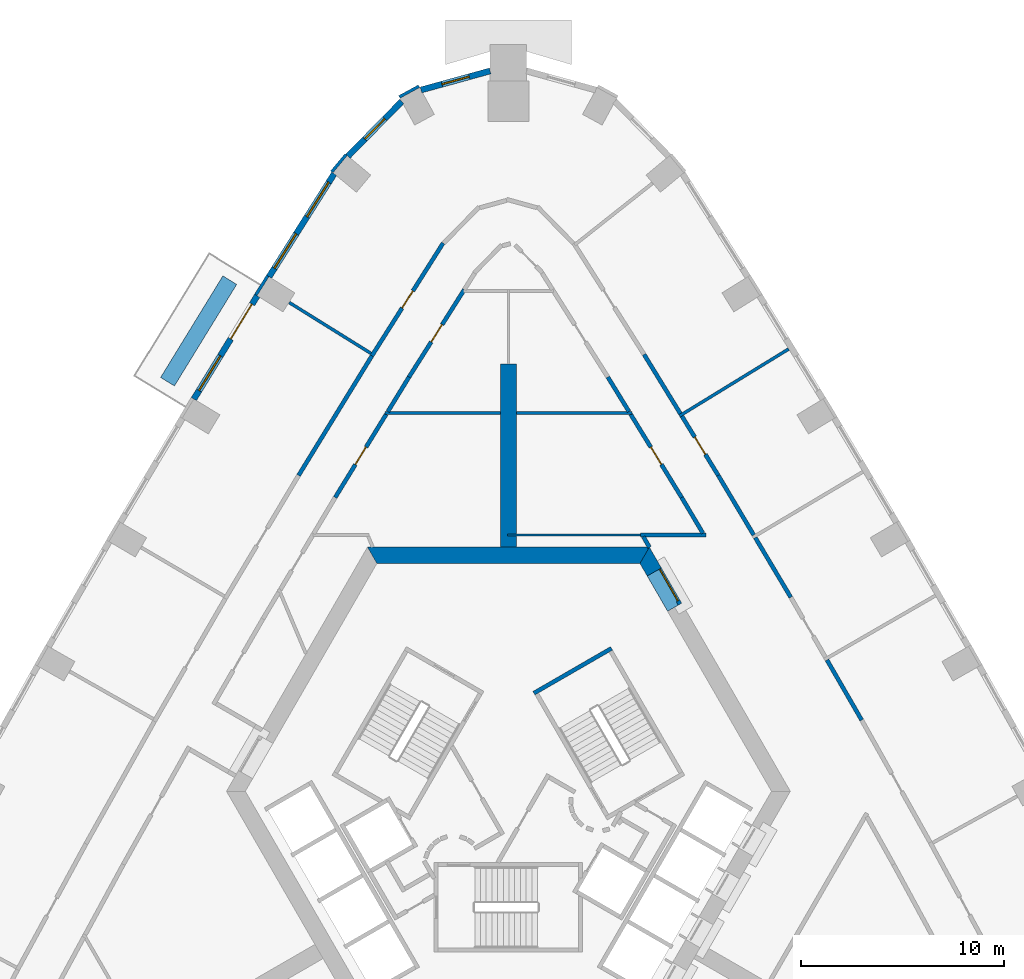
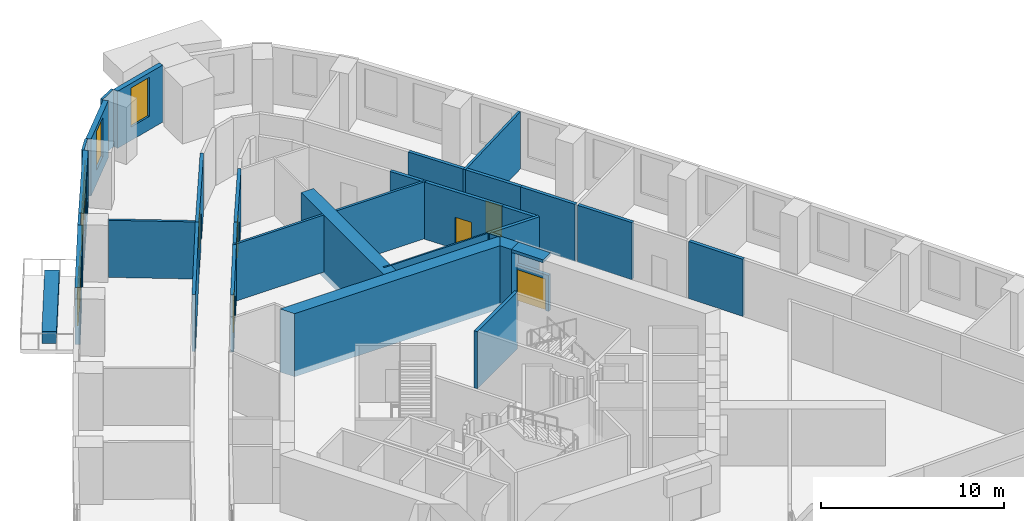
# One storey, part 9 of 14: 34 walls, 7 doors, 5 windows, 12 openings.
"""IFC4 building model written with IfcOpenShell, lengths in metres."""

from ifc_helpers import new_model, si_unit, direction, frame, frame_2d, origin, place, context, subcontext, project, spatial, polyline, rectangle, outline, extrude, material, layer, layer_set, type_object, element, fill, save


model = new_model("IFC4")

# Units and contexts
model_context = context("Model", 3, precision=1e-05, world=origin(), true_north=direction((0.0, 1.0)))
body_context = subcontext(model_context, "Body", "Model", "MODEL_VIEW")
ifc_project = project(units=[si_unit("LENGTHUNIT", "METRE"), si_unit("AREAUNIT", "SQUARE_METRE"), si_unit("VOLUMEUNIT", "CUBIC_METRE"), si_unit("PLANEANGLEUNIT", "RADIAN"), si_unit("MASSUNIT", "GRAM", prefix="KILO")], contexts=[model_context])

# Site, building, storey
site_placement = place(None, origin())
site = spatial("IfcSite", under=ifc_project, at=site_placement, CompositionType="ELEMENT")
building_placement = place(site_placement, origin())
building = spatial("IfcBuilding", under=site, at=building_placement, Name="Entoto Arch Interchange Tower", CompositionType="ELEMENT")
storey_placement = place(building_placement, frame((0.0, 0.0, 159.199951171875)))
storey = spatial("IfcBuildingStorey", under=building, at=storey_placement, Name="L35", CompositionType="ELEMENT", Elevation=159.199951171875)

# Wall
ifc_material_1 = material(Name="Concrete C50/60", Category="concrete")
ifc_layer_1 = layer(ifc_material_1, 0.800048828125)
ifc_layer_set_1 = layer_set([ifc_layer_1], Name="Concrete C50/60")
wall_type_1 = type_object("IfcWallType", Name="Buttress wall 800 C50/60", PredefinedType="SHEAR", material=ifc_layer_set_1)
wall_1_placement = place(storey_placement, frame((0.0, 14.5, -0.39990234375), z_axis=(0.0, 0.0, 1.0), x_axis=(0.0, 1.0, 0.0)))
element("IfcWall", 1, at=wall_1_placement, inside=storey, type_object=wall_type_1, Name="Buttress wall N L35", PredefinedType="SHEAR", context=body_context, shape_type="SweptSolid", body=[
    extrude(rectangle(XDim=9.0, YDim=0.800048828125, at=frame_2d((4.5, 0.0))), origin(), (0.0, 0.0, 1.0), 4.199951171875),
])

# Wall, opening, door
ifc_material_2 = material(Name="Reinforced concrete C40/50", Category="concrete")
ifc_layer_2 = layer(ifc_material_2, 0.199951171875)
ifc_layer_set_2 = layer_set([ifc_layer_2], Name="Reinforced concrete C40/50")
wall_type_2 = type_object("IfcWallType", Name="CORE GAP INFILL WALL", PredefinedType="PARTITIONING", material=ifc_layer_set_2)
wall_2_placement = place(storey_placement, frame((8.429931640625, 11.697998046875, 0.0), z_axis=(0.0, 0.0, 1.0), x_axis=(-0.50002537861, 0.866010750942, 0.0)))
wall_2 = element("IfcWall", 2, at=wall_2_placement, inside=storey, type_object=wall_type_2, Name="wall:L35:gap2", PredefinedType="PARTITIONING", context=body_context, shape_type="SweptSolid", body=[
    extrude(rectangle(XDim=2.0, YDim=0.199951171875, at=frame_2d((1.0, 0.0))), origin(), (0.0, 0.0, 1.0), 2.400146484375),
])
opening_1_placement = place(wall_2_placement, frame((0.18994140625, 0.0, 0.0)))
opening_1 = element("IfcOpeningElement", 3, at=opening_1_placement, cuts=wall_2, Name="Opening L35-D92", PredefinedType="OPENING", context=body_context, shape_type="SweptSolid", body=[
    extrude(rectangle(XDim=1.800048828125, YDim=2.10009765625, at=frame_2d((0.89990234375, 1.050048828125))), frame((0.0, 0.10986328125, 0.0), z_axis=(0.0, -1.0, 0.0), x_axis=(1.0, 0.0, 0.0)), (0.0, 0.0, 1.0), 0.219970703125),
])
ifc_material_3 = material(Name="Fire-rated Steel S235 door and frame", Category="steel")
door_type_1 = type_object("IfcDoorType", Name="DOOR FD-18 1800x2100", OperationType="DOUBLE_DOOR_SINGLE_SWING", PredefinedType="DOOR", material=ifc_material_3)
door_1_placement = place(opening_1_placement, origin())
door_1 = element("IfcDoor", 4, at=door_1_placement, inside=storey, type_object=door_type_1, Name="door:L35:gap2", OperationType="DOUBLE_DOOR_SINGLE_SWING", OverallHeight=2.10009765625, OverallWidth=1.800048828125, PredefinedType="DOOR", context=body_context, shape_type="SweptSolid", body=[
    extrude(rectangle(XDim=1.800048828125, YDim=2.10009765625, at=frame_2d((0.89990234375, 1.050048828125))), frame((0.0, 0.02490234375, 0.0), z_axis=(0.0, -1.0, 0.0), x_axis=(1.0, 0.0, 0.0)), (0.0, 0.0, 1.0), 0.050048828125),
])
fill(opening_1, door_1)

# Walls
ifc_layer_3 = layer(ifc_material_1, 0.800048828125)
ifc_layer_set_3 = layer_set([ifc_layer_3], Name="Concrete C50/60")
wall_type_3 = type_object("IfcWallType", Name="Core wall 800 C50/60", PredefinedType="SHEAR", material=ifc_layer_set_3)
wall_3_placement = place(storey_placement, frame((0.0, 0.0, -0.39990234375)))
element("IfcWall", 5, at=wall_3_placement, inside=storey, type_object=wall_type_3, Name="Core wall NE L35", PredefinedType="SHEAR", context=body_context, shape_type="SweptSolid", body=[
    extrude(outline(polyline([(6.823974609375, 13.080078125), (7.51708984375, 13.47998046875), (6.927978515625, 14.5), (6.466064453125, 13.699951171875), (6.823974609375, 13.080078125)])), origin(), (0.0, 0.0, 1.0), 4.199951171875),
])
wall_4_placement = place(storey_placement, frame((0.0, 0.0, 3.60009765625)))
element("IfcWall", 6, at=wall_4_placement, inside=storey, type_object=wall_type_3, Name="Core wall lintel NE L35", PredefinedType="SHEAR", context=body_context, shape_type="SweptSolid", body=[
    extrude(outline(polyline([(7.51708984375, 13.47998046875), (6.823974609375, 13.080078125), (7.823974609375, 11.347900390625), (8.51708984375, 11.748046875), (7.51708984375, 13.47998046875)])), origin(), (0.0, 0.0, 1.0), 0.199951171875),
])
wall_5_placement = place(storey_placement, frame((0.0, 0.0, -0.39990234375)))
element("IfcWall", 7, at=wall_5_placement, inside=storey, type_object=wall_type_3, Name="Core wall N L35", PredefinedType="SHEAR", context=body_context, shape_type="SweptSolid", body=[
    extrude(outline(polyline([(6.927978515625, 14.5), (-6.927978515625, 14.5), (-6.466064453125, 13.699951171875), (6.466064453125, 13.699951171875), (6.927978515625, 14.5)])), origin(), (0.0, 0.0, 1.0), 4.199951171875),
])
ifc_material_4 = material(Name="Gypsum board partition on steel studs", Category="steel")
ifc_layer_4 = layer(ifc_material_4, 0.10009765625)
ifc_layer_set_4 = layer_set([ifc_layer_4], Name="Gypsum board partition on steel studs")
wall_type_4 = type_object("IfcWallType", Name="PARTITION 100", PredefinedType="PARTITIONING", material=ifc_layer_set_4)
wall_6_placement = place(storey_placement, frame((6.48388671875, 15.10009765625, 0.0), z_axis=(0.0, 0.0, 1.0), x_axis=(-1.0, 0.0, 0.0)))
element("IfcWall", 8, at=wall_6_placement, inside=storey, type_object=wall_type_4, Name="wall:L35:p112", PredefinedType="PARTITIONING", context=body_context, shape_type="SweptSolid", body=[
    extrude(rectangle(XDim=6.533935546875, YDim=0.10009765625, at=frame_2d((3.26708984375, 0.0))), origin(), (0.0, 0.0, 1.0), 3.800048828125),
])
ifc_layer_5 = layer(ifc_material_4, 0.14990234375)
ifc_layer_set_5 = layer_set([ifc_layer_5], Name="Gypsum board partition on steel studs")
wall_type_5 = type_object("IfcWallType", Name="PARTITION 150", PredefinedType="PARTITIONING", material=ifc_layer_set_5)
for number, where, z_axis, x_axis, name in (
    (9, (0.39990234375, 21.10009765625, 0.0), (0.0, 0.0, 1.0), (1.0, 0.0, 0.0), "wall:L35:p113"),
    (10, (-6.06591796875, 21.10009765625, 0.0), (0.0, 0.0, 1.0), (1.0, 0.0, 0.0), "wall:L35:p114"),
):
    element("IfcWall", number, at=place(storey_placement, frame(where, z_axis=z_axis, x_axis=x_axis)), inside=storey, type_object=wall_type_5, Name=name, PredefinedType="PARTITIONING", context=body_context, shape_type="SweptSolid", body=[
        extrude(rectangle(XDim=5.666015625, YDim=0.14990234375, at=frame_2d((2.8330078125, 0.0))), origin(), (0.0, 0.0, 1.0), 3.800048828125),
    ])
wall_7_placement = place(storey_placement, frame((8.406005859375, 20.947021484375, 0.0), z_axis=(0.0, 0.0, 1.0), x_axis=(0.852529956042, 0.522678365777, 0.0)))
element("IfcWall", 11, at=wall_7_placement, inside=storey, type_object=wall_type_5, Name="wall:L35:p130", PredefinedType="PARTITIONING", context=body_context, shape_type="SweptSolid", body=[
    extrude(rectangle(XDim=6.30029296875, YDim=0.14990234375, at=frame_2d((3.150146484375, 0.0))), origin(), (0.0, 0.0, 1.0), 3.800048828125),
])
wall_8_placement = place(storey_placement, frame((-6.7548828125, 24.02294921875, 0.0), z_axis=(0.0, 0.0, 1.0), x_axis=(-0.848896034983, 0.528559856392, 0.0)))
element("IfcWall", 12, at=wall_8_placement, inside=storey, type_object=wall_type_5, Name="wall:L35:p132", PredefinedType="PARTITIONING", context=body_context, shape_type="SweptSolid", body=[
    extrude(rectangle(XDim=4.729736328125, YDim=0.14990234375, at=frame_2d((2.36474609375, 0.0))), origin(), (0.0, 0.0, 1.0), 3.800048828125),
])
ifc_layer_6 = layer(ifc_material_4, 0.199951171875)
ifc_layer_set_6 = layer_set([ifc_layer_6], Name="Gypsum board partition on steel studs")
wall_type_6 = type_object("IfcWallType", Name="PARTITION 200", PredefinedType="PARTITIONING", material=ifc_layer_set_6)
wall_9_placement = place(storey_placement, frame((6.48388671875, 15.10009765625, 0.0), z_axis=(0.0, 0.0, 1.0), x_axis=(1.0, 0.0, 0.0)))
element("IfcWall", 13, at=wall_9_placement, inside=storey, type_object=wall_type_6, Name="wall:L35:p005", PredefinedType="PARTITIONING", context=body_context, shape_type="SweptSolid", body=[
    extrude(rectangle(XDim=3.22802734375, YDim=0.199951171875, at=frame_2d((1.614013671875, 0.0))), origin(), (0.0, 0.0, 1.0), 3.800048828125),
])
wall_10_placement = place(storey_placement, frame((9.56103515625, 15.18603515625, 0.0), z_axis=(0.0, 0.0, 1.0), x_axis=(-0.511399832047, 0.859342895346, 0.0)))
element("IfcWall", 14, at=wall_10_placement, inside=storey, type_object=wall_type_6, Name="wall:L35:p006", PredefinedType="PARTITIONING", context=body_context, shape_type="SweptSolid", body=[
    extrude(rectangle(XDim=2.043212890625, YDim=0.199951171875, at=frame_2d((1.021484375, 0.0))), origin(), (0.0, 0.0, 1.0), 3.800048828125),
])

# Wall, opening, door
wall_11_placement = place(storey_placement, frame((8.51611328125, 16.94189453125, 0.0), z_axis=(0.0, 0.0, 1.0), x_axis=(-0.522865983217, 0.852414901086, 0.0)))
wall_11 = element("IfcWall", 15, at=wall_11_placement, inside=storey, type_object=wall_type_6, Name="wall:L35:p007", PredefinedType="PARTITIONING", context=body_context, shape_type="SweptSolid", body=[
    extrude(rectangle(XDim=4.802734375, YDim=0.199951171875, at=frame_2d((2.4013671875, 0.0))), origin(), (0.0, 0.0, 1.0), 3.800048828125),
])
opening_2_placement = place(wall_11_placement, frame((1.90087890625, 0.0, 0.0)))
opening_2 = element("IfcOpeningElement", 16, at=opening_2_placement, cuts=wall_11, Name="Opening L35-D19", PredefinedType="OPENING", context=body_context, shape_type="SweptSolid", body=[
    extrude(rectangle(XDim=1.0, YDim=2.10009765625, at=frame_2d((0.5, 1.050048828125))), frame((0.0, 0.10986328125, 0.0), z_axis=(0.0, -1.0, 0.0), x_axis=(1.0, 0.0, 0.0)), (0.0, 0.0, 1.0), 0.219970703125),
])
ifc_material_5 = material(Name="Timber door leaf in Steel S235 frame", Category="steel")
door_type_2 = type_object("IfcDoorType", Name="DOOR DS-10 1000x2100", OperationType="SINGLE_SWING_LEFT", PredefinedType="DOOR", material=ifc_material_5)
door_2_placement = place(opening_2_placement, origin())
door_2 = element("IfcDoor", 17, at=door_2_placement, inside=storey, type_object=door_type_2, Name="door:L35:19", OperationType="SINGLE_SWING_LEFT", OverallHeight=2.10009765625, OverallWidth=1.0, PredefinedType="DOOR", context=body_context, shape_type="SweptSolid", body=[
    extrude(rectangle(XDim=1.0, YDim=2.10009765625, at=frame_2d((0.5, 1.050048828125))), frame((0.0, 0.02490234375, 0.0), z_axis=(0.0, -1.0, 0.0), x_axis=(1.0, 0.0, 0.0)), (0.0, 0.0, 1.0), 0.050048828125),
])
fill(opening_2, door_2)

# Wall
wall_12_placement = place(storey_placement, frame((6.93701171875, 14.488037109375, 0.0), z_axis=(0.0, 0.0, 1.0), x_axis=(-0.499908430952, 0.866078264744, 0.0)))
element("IfcWall", 18, at=wall_12_placement, inside=storey, type_object=wall_type_6, Name="wall:L35:p008", PredefinedType="PARTITIONING", context=body_context, shape_type="SweptSolid", body=[
    extrude(rectangle(XDim=0.60595703125, YDim=0.199951171875, at=frame_2d((0.302978515625, 0.0))), origin(), (0.0, 0.0, 1.0), 3.800048828125),
])

# Wall, opening, door
wall_13_placement = place(storey_placement, frame((-6.0048828125, 21.035888671875, 0.0), z_axis=(0.0, 0.0, 1.0), x_axis=(-0.522865983217, -0.852414901086, 0.0)))
wall_13 = element("IfcWall", 19, at=wall_13_placement, inside=storey, type_object=wall_type_6, Name="wall:L35:p009", PredefinedType="PARTITIONING", context=body_context, shape_type="SweptSolid", body=[
    extrude(rectangle(XDim=4.802734375, YDim=0.199951171875, at=frame_2d((2.4013671875, 0.0))), origin(), (0.0, 0.0, 1.0), 3.800048828125),
])
opening_3_placement = place(wall_13_placement, frame((1.90087890625, 0.0, 0.0)))
opening_3 = element("IfcOpeningElement", 20, at=opening_3_placement, cuts=wall_13, Name="Opening L35-D20", PredefinedType="OPENING", context=body_context, shape_type="SweptSolid", body=[
    extrude(rectangle(XDim=1.0, YDim=2.10009765625, at=frame_2d((0.5, 1.050048828125))), frame((0.0, 0.10986328125, 0.0), z_axis=(0.0, -1.0, 0.0), x_axis=(1.0, 0.0, 0.0)), (0.0, 0.0, 1.0), 0.219970703125),
])
door_3_placement = place(opening_3_placement, origin())
door_3 = element("IfcDoor", 21, at=door_3_placement, inside=storey, type_object=door_type_2, Name="door:L35:20", OperationType="SINGLE_SWING_LEFT", OverallHeight=2.10009765625, OverallWidth=1.0, PredefinedType="DOOR", context=body_context, shape_type="SweptSolid", body=[
    extrude(rectangle(XDim=1.0, YDim=2.10009765625, at=frame_2d((0.5, 1.050048828125))), frame((0.0, 0.02490234375, 0.0), z_axis=(0.0, -1.0, 0.0), x_axis=(1.0, 0.0, 0.0)), (0.0, 0.0, 1.0), 0.050048828125),
])
fill(opening_3, door_3)

# Wall
wall_14_placement = place(storey_placement, frame((5.927001953125, 21.1640625, 0.0), z_axis=(0.0, 0.0, 1.0), x_axis=(-0.522754838565, 0.852483066552, 0.0)))
element("IfcWall", 22, at=wall_14_placement, inside=storey, type_object=wall_type_6, Name="wall:L35:p011", PredefinedType="PARTITIONING", context=body_context, shape_type="SweptSolid", body=[
    extrude(rectangle(XDim=1.989501953125, YDim=0.199951171875, at=frame_2d((0.99462890625, 0.0))), origin(), (0.0, 0.0, 1.0), 3.800048828125),
])

# Wall, opening, door
wall_15_placement = place(storey_placement, frame((-2.1669921875, 27.1630859375, 0.0), z_axis=(0.0, 0.0, 1.0), x_axis=(-0.534315942524, -0.845284847589, 0.0)))
wall_15 = element("IfcWall", 23, at=wall_15_placement, inside=storey, type_object=wall_type_6, Name="wall:L35:p013", PredefinedType="PARTITIONING", context=body_context, shape_type="SweptSolid", body=[
    extrude(rectangle(XDim=5.090576171875, YDim=0.199951171875, at=frame_2d((2.54541015625, 0.0))), origin(), (0.0, 0.0, 1.0), 3.800048828125),
])
opening_4_placement = place(wall_15_placement, frame((2.044921875, 0.0, 0.0)))
opening_4 = element("IfcOpeningElement", 24, at=opening_4_placement, cuts=wall_15, Name="Opening L35-D22", PredefinedType="OPENING", context=body_context, shape_type="SweptSolid", body=[
    extrude(rectangle(XDim=1.0, YDim=2.10009765625, at=frame_2d((0.5, 1.050048828125))), frame((0.0, 0.10986328125, 0.0), z_axis=(0.0, -1.0, 0.0), x_axis=(1.0, 0.0, 0.0)), (0.0, 0.0, 1.0), 0.219970703125),
])
door_4_placement = place(opening_4_placement, origin())
door_4 = element("IfcDoor", 25, at=door_4_placement, inside=storey, type_object=door_type_2, Name="door:L35:22", OperationType="SINGLE_SWING_LEFT", OverallHeight=2.10009765625, OverallWidth=1.0, PredefinedType="DOOR", context=body_context, shape_type="SweptSolid", body=[
    extrude(rectangle(XDim=1.0, YDim=2.10009765625, at=frame_2d((0.5, 1.050048828125))), frame((0.0, 0.02490234375, 0.0), z_axis=(0.0, -1.0, 0.0), x_axis=(1.0, 0.0, 0.0)), (0.0, 0.0, 1.0), 0.050048828125),
])
fill(opening_4, door_4)

# Walls
wall_16_placement = place(storey_placement, frame((-4.886962890625, 22.860107421875, 0.0), z_axis=(0.0, 0.0, 1.0), x_axis=(-0.522754838565, -0.852483066552, 0.0)))
element("IfcWall", 26, at=wall_16_placement, inside=storey, type_object=wall_type_6, Name="wall:L35:p014", PredefinedType="PARTITIONING", context=body_context, shape_type="SweptSolid", body=[
    extrude(rectangle(XDim=1.989501953125, YDim=0.199951171875, at=frame_2d((0.99462890625, 0.0))), origin(), (0.0, 0.0, 1.0), 3.800048828125),
])
wall_17_placement = place(storey_placement, frame((15.658935546875, 8.9541015625, 0.0), z_axis=(0.0, 0.0, 1.0), x_axis=(0.50001992892, -0.866013897511, 0.0)))
element("IfcWall", 27, at=wall_17_placement, inside=storey, type_object=wall_type_6, Name="wall:L35:p048", PredefinedType="PARTITIONING", context=body_context, shape_type="SweptSolid", body=[
    extrude(rectangle(XDim=3.409912109375, YDim=0.199951171875, at=frame_2d((1.705078125, 0.0))), origin(), (0.0, 0.0, 1.0), 3.800048828125),
])
wall_18_placement = place(storey_placement, frame((12.134033203125, 14.968017578125, 0.0), z_axis=(0.0, 0.0, 1.0), x_axis=(0.511545516492, -0.859256180983, 0.0)))
element("IfcWall", 28, at=wall_18_placement, inside=storey, type_object=wall_type_6, Name="wall:L35:p050", PredefinedType="PARTITIONING", context=body_context, shape_type="SweptSolid", body=[
    extrude(rectangle(XDim=3.410888671875, YDim=0.199951171875, at=frame_2d((1.70556640625, 0.0))), origin(), (0.0, 0.0, 1.0), 3.800048828125),
])

# Wall, opening, door
wall_19_placement = place(storey_placement, frame((8.530029296875, 20.93505859375, 0.0), z_axis=(0.0, 0.0, 1.0), x_axis=(0.522830634433, -0.852436582801, 0.0)))
wall_19 = element("IfcWall", 29, at=wall_19_placement, inside=storey, type_object=wall_type_6, Name="wall:L35:p052", PredefinedType="PARTITIONING", context=body_context, shape_type="SweptSolid", body=[
    extrude(rectangle(XDim=3.41015625, YDim=0.199951171875, at=frame_2d((1.705078125, 0.0))), origin(), (0.0, 0.0, 1.0), 3.800048828125),
])
opening_5_placement = place(wall_19_placement, frame((1.205078125, 0.0, 0.0)))
opening_5 = element("IfcOpeningElement", 30, at=opening_5_placement, cuts=wall_19, Name="Opening L35-D08", PredefinedType="OPENING", context=body_context, shape_type="SweptSolid", body=[
    extrude(rectangle(XDim=1.0, YDim=2.10009765625, at=frame_2d((0.5, 1.050048828125))), frame((0.0, 0.10986328125, 0.0), z_axis=(0.0, -1.0, 0.0), x_axis=(1.0, 0.0, 0.0)), (0.0, 0.0, 1.0), 0.219970703125),
])
door_5_placement = place(opening_5_placement, origin())
door_5 = element("IfcDoor", 31, at=door_5_placement, inside=storey, type_object=door_type_2, Name="door:L35:08", OperationType="SINGLE_SWING_LEFT", OverallHeight=2.10009765625, OverallWidth=1.0, PredefinedType="DOOR", context=body_context, shape_type="SweptSolid", body=[
    extrude(rectangle(XDim=1.0, YDim=2.10009765625, at=frame_2d((0.5, 1.050048828125))), frame((0.0, 0.02490234375, 0.0), z_axis=(0.0, -1.0, 0.0), x_axis=(1.0, 0.0, 0.0)), (0.0, 0.0, 1.0), 0.050048828125),
])
fill(opening_5, door_5)

# Walls
wall_20_placement = place(storey_placement, frame((10.31298828125, 18.028076171875, 0.0), z_axis=(0.0, 0.0, 1.0), x_axis=(0.511566898838, -0.859243450958, 0.0)))
element("IfcWall", 32, at=wall_20_placement, inside=storey, type_object=wall_type_6, Name="wall:L35:p053", PredefinedType="PARTITIONING", context=body_context, shape_type="SweptSolid", body=[
    extrude(rectangle(XDim=3.411376953125, YDim=0.199951171875, at=frame_2d((1.70556640625, 0.0))), origin(), (0.0, 0.0, 1.0), 3.800048828125),
])
wall_21_placement = place(storey_placement, frame((6.669921875, 23.969970703125, 0.0), z_axis=(0.0, 0.0, 1.0), x_axis=(0.522622501212, -0.85256420358, 0.0)))
element("IfcWall", 33, at=wall_21_placement, inside=storey, type_object=wall_type_6, Name="wall:L35:p055", PredefinedType="PARTITIONING", context=body_context, shape_type="SweptSolid", body=[
    extrude(rectangle(XDim=3.40966796875, YDim=0.199951171875, at=frame_2d((1.704833984375, 0.0))), origin(), (0.0, 0.0, 1.0), 3.800048828125),
])

# Wall, opening, door
wall_22_placement = place(storey_placement, frame((-6.7099609375, 23.906005859375, 0.0), z_axis=(0.0, 0.0, 1.0), x_axis=(0.534211624298, 0.845350779538, 0.0)))
wall_22 = element("IfcWall", 34, at=wall_22_placement, inside=storey, type_object=wall_type_6, Name="wall:L35:p056", PredefinedType="PARTITIONING", context=body_context, shape_type="SweptSolid", body=[
    extrude(rectangle(XDim=6.553466796875, YDim=0.199951171875, at=frame_2d((3.27685546875, 0.0))), origin(), (0.0, 0.0, 1.0), 3.800048828125),
])
opening_6_placement = place(wall_22_placement, frame((2.777099609375, 0.0, 0.0)))
opening_6 = element("IfcOpeningElement", 35, at=opening_6_placement, cuts=wall_22, Name="Opening L35-D10", PredefinedType="OPENING", context=body_context, shape_type="SweptSolid", body=[
    extrude(rectangle(XDim=1.0, YDim=2.10009765625, at=frame_2d((0.5, 1.050048828125))), frame((0.0, 0.10986328125, 0.0), z_axis=(0.0, -1.0, 0.0), x_axis=(1.0, 0.0, 0.0)), (0.0, 0.0, 1.0), 0.219970703125),
])
door_6_placement = place(opening_6_placement, origin())
door_6 = element("IfcDoor", 36, at=door_6_placement, inside=storey, type_object=door_type_2, Name="door:L35:10", OperationType="SINGLE_SWING_LEFT", OverallHeight=2.10009765625, OverallWidth=1.0, PredefinedType="DOOR", context=body_context, shape_type="SweptSolid", body=[
    extrude(rectangle(XDim=1.0, YDim=2.10009765625, at=frame_2d((0.5, 1.050048828125))), frame((0.0, 0.02490234375, 0.0), z_axis=(0.0, -1.0, 0.0), x_axis=(1.0, 0.0, 0.0)), (0.0, 0.0, 1.0), 0.050048828125),
])
fill(opening_6, door_6)

# Walls
wall_23_placement = place(storey_placement, frame((-10.31298828125, 18.028076171875, 0.0), z_axis=(0.0, 0.0, 1.0), x_axis=(0.522772968793, 0.85247194857, 0.0)))
element("IfcWall", 37, at=wall_23_placement, inside=storey, type_object=wall_type_6, Name="wall:L35:p062", PredefinedType="PARTITIONING", context=body_context, shape_type="SweptSolid", body=[
    extrude(rectangle(XDim=6.89404296875, YDim=0.199951171875, at=frame_2d((3.447021484375, 0.0))), origin(), (0.0, 0.0, 1.0), 3.800048828125),
])
ifc_material_6 = material(Name="Board-marked precast concrete C50/60", Category="concrete")
ifc_layer_7 = layer(ifc_material_6, 0.800048828125)
ifc_layer_set_7 = layer_set([ifc_layer_7], Name="Board-marked precast concrete C50/60")
wall_type_7 = type_object("IfcWallType", Name="PLANTER RC 800 Olea europaea subsp. cuspidata", PredefinedType="STANDARD", material=ifc_layer_set_7)
wall_24_placement = place(storey_placement, frame((-13.695068359375, 27.625, 0.0), z_axis=(0.0, 0.0, 1.0), x_axis=(-0.52278978303, -0.852461637119, 0.0)))
element("IfcWall", 38, at=wall_24_placement, inside=storey, type_object=wall_type_7, Name="Planter NW-02 L35", PredefinedType="STANDARD", context=body_context, shape_type="SweptSolid", body=[
    extrude(rectangle(XDim=5.857177734375, YDim=0.800048828125, at=frame_2d((2.9287109375, 0.0))), origin(), (0.0, 0.0, 1.0), 0.800048828125),
])
ifc_material_7 = material(Name="Concrete C40/50", Category="concrete")
ifc_layer_8 = layer(ifc_material_7, 0.199951171875)
ifc_layer_set_8 = layer_set([ifc_layer_8], Name="Concrete C40/50")
wall_type_8 = type_object("IfcWallType", Name="STAIR ENCLOSURE WALL 200", PredefinedType="STANDARD", material=ifc_layer_set_8)
wall_25_placement = place(storey_placement, frame((1.256103515625, 7.323974609375, 0.0), z_axis=(0.0, 0.0, 1.0), x_axis=(0.866046073146, 0.499964197906, 0.0)))
element("IfcWall", 39, at=wall_25_placement, inside=storey, type_object=wall_type_8, Name="Stair wall ST-NE far", PredefinedType="STANDARD", context=body_context, shape_type="SweptSolid", body=[
    extrude(rectangle(XDim=4.400146484375, YDim=0.199951171875, at=frame_2d((2.2001953125, 0.0))), origin(), (0.0, 0.0, 1.0), 3.800048828125),
])

# Wall, opening, window
ifc_material_8 = material(Name="Welded tuff (ignimbrite) cladding, warm buff", Category="masonry")
ifc_layer_9 = layer(ifc_material_8, 0.300048828125)
ifc_layer_set_9 = layer_set([ifc_layer_9], Name="Welded tuff (ignimbrite) cladding, warm buff")
wall_type_9 = type_object("IfcWallType", Name="STONE INFILL WALL 300", PredefinedType="STANDARD", material=ifc_layer_set_9)
wall_26_placement = place(storey_placement, frame((-0.89892578125, 37.908935546875, 0.0), z_axis=(0.0, 0.0, 1.0), x_axis=(-0.964069751151, -0.265649232853, 0.0)))
wall_26 = element("IfcWall", 40, at=wall_26_placement, inside=storey, type_object=wall_type_9, Name="Facade wall N-03 L35", PredefinedType="STANDARD", context=body_context, shape_type="SweptSolid", body=[
    extrude(rectangle(XDim=3.523681640625, YDim=0.300048828125, at=frame_2d((1.76171875, 0.0))), origin(), (0.0, 0.0, 1.0), 3.800048828125),
])
opening_7_placement = place(wall_26_placement, frame((1.06201171875, 0.0, 0.89990234375)))
opening_7 = element("IfcOpeningElement", 41, at=opening_7_placement, cuts=wall_26, Name="Opening WO-B", PredefinedType="OPENING", context=body_context, shape_type="SweptSolid", body=[
    extrude(rectangle(XDim=1.39990234375, YDim=2.60009765625, at=frame_2d((0.699951171875, 1.300048828125))), frame((0.0, 0.16015625, 0.0), z_axis=(0.0, -1.0, 0.0), x_axis=(1.0, 0.0, 0.0)), (0.0, 0.0, 1.0), 0.320068359375),
])
ifc_material_9 = material(Name="Clear glass, low-e double glazed", Category="glass")
window_type_1 = type_object("IfcWindowType", Name="WINDOW WO-B 1400x2600", PartitioningType="DOUBLE_PANEL_VERTICAL", PredefinedType="WINDOW", material=ifc_material_9)
window_1_placement = place(opening_7_placement, origin())
window_1 = element("IfcWindow", 42, at=window_1_placement, inside=storey, type_object=window_type_1, Name="Window WO-B N-03 L35", OverallHeight=2.60009765625, OverallWidth=1.39990234375, PartitioningType="SINGLE_PANEL", PredefinedType="WINDOW", context=body_context, shape_type="SweptSolid", body=[
    extrude(rectangle(XDim=1.39990234375, YDim=2.60009765625, at=frame_2d((0.699951171875, 1.300048828125))), frame((0.0, 0.030029296875, 0.0), z_axis=(0.0, -1.0, 0.0), x_axis=(1.0, 0.0, 0.0)), (0.0, 0.0, 1.0), 0.06005859375),
])
fill(opening_7, window_1)

wall_27_placement = place(storey_placement, frame((-5.240966796875, 36.412109375, 0.0), z_axis=(0.0, 0.0, 1.0), x_axis=(-0.7003170466, -0.713831936973, 0.0)))
wall_27 = element("IfcWall", 43, at=wall_27_placement, inside=storey, type_object=wall_type_9, Name="Facade wall N-04 L35", PredefinedType="STANDARD", context=body_context, shape_type="SweptSolid", body=[
    extrude(rectangle(XDim=3.775390625, YDim=0.300048828125, at=frame_2d((1.8876953125, 0.0))), origin(), (0.0, 0.0, 1.0), 3.800048828125),
])
opening_8_placement = place(wall_27_placement, frame((1.18798828125, 0.0, 0.89990234375)))
opening_8 = element("IfcOpeningElement", 44, at=opening_8_placement, cuts=wall_27, Name="Opening WO-B", PredefinedType="OPENING", context=body_context, shape_type="SweptSolid", body=[
    extrude(rectangle(XDim=1.39990234375, YDim=2.60009765625, at=frame_2d((0.699951171875, 1.300048828125))), frame((0.0, 0.16015625, 0.0), z_axis=(0.0, -1.0, 0.0), x_axis=(1.0, 0.0, 0.0)), (0.0, 0.0, 1.0), 0.320068359375),
])
window_2_placement = place(opening_8_placement, origin())
window_2 = element("IfcWindow", 45, at=window_2_placement, inside=storey, type_object=window_type_1, Name="Window WO-B N-04 L35", OverallHeight=2.60009765625, OverallWidth=1.39990234375, PartitioningType="SINGLE_PANEL", PredefinedType="WINDOW", context=body_context, shape_type="SweptSolid", body=[
    extrude(rectangle(XDim=1.39990234375, YDim=2.60009765625, at=frame_2d((0.699951171875, 1.300048828125))), frame((0.0, 0.030029296875, 0.0), z_axis=(0.0, -1.0, 0.0), x_axis=(1.0, 0.0, 0.0)), (0.0, 0.0, 1.0), 0.06005859375),
])
fill(opening_8, window_2)

# Wall, openings, windows
wall_28_placement = place(storey_placement, frame((-8.56591796875, 32.85498046875, 0.0), z_axis=(0.0, 0.0, 1.0), x_axis=(-0.534262775953, -0.845318452556, 0.0)))
wall_28 = element("IfcWall", 46, at=wall_28_placement, inside=storey, type_object=wall_type_9, Name="Facade wall NW-01 L35", PredefinedType="STANDARD", context=body_context, shape_type="SweptSolid", body=[
    extrude(rectangle(XDim=5.99169921875, YDim=0.300048828125, at=frame_2d((2.995849609375, 0.0))), origin(), (0.0, 0.0, 1.0), 3.800048828125),
])
opening_9_placement = place(wall_28_placement, frame((0.498046875, 0.0, 0.89990234375)))
opening_9 = element("IfcOpeningElement", 47, at=opening_9_placement, cuts=wall_28, Name="Opening WO-C", PredefinedType="OPENING", context=body_context, shape_type="SweptSolid", body=[
    extrude(rectangle(XDim=2.0, YDim=2.60009765625, at=frame_2d((1.0, 1.300048828125))), frame((0.0, 0.16015625, 0.0), z_axis=(0.0, -1.0, 0.0), x_axis=(1.0, 0.0, 0.0)), (0.0, 0.0, 1.0), 0.320068359375),
])
opening_10_placement = place(wall_28_placement, frame((3.493896484375, 0.0, 0.89990234375)))
opening_10 = element("IfcOpeningElement", 48, at=opening_10_placement, cuts=wall_28, Name="Opening WO-C", PredefinedType="OPENING", context=body_context, shape_type="SweptSolid", body=[
    extrude(rectangle(XDim=2.0, YDim=2.60009765625, at=frame_2d((1.0, 1.300048828125))), frame((0.0, 0.16015625, 0.0), z_axis=(0.0, -1.0, 0.0), x_axis=(1.0, 0.0, 0.0)), (0.0, 0.0, 1.0), 0.320068359375),
])
window_type_2 = type_object("IfcWindowType", Name="WINDOW WO-C 2000x2600", PartitioningType="DOUBLE_PANEL_VERTICAL", PredefinedType="WINDOW", material=ifc_material_9)
window_3_placement = place(opening_9_placement, origin())
window_3 = element("IfcWindow", 49, at=window_3_placement, inside=storey, type_object=window_type_2, Name="Window WO-C NW-01 L35", OverallHeight=2.60009765625, OverallWidth=2.0, PartitioningType="SINGLE_PANEL", PredefinedType="WINDOW", context=body_context, shape_type="SweptSolid", body=[
    extrude(rectangle(XDim=2.0, YDim=2.60009765625, at=frame_2d((1.0, 1.300048828125))), frame((0.0, 0.030029296875, 0.0), z_axis=(0.0, -1.0, 0.0), x_axis=(1.0, 0.0, 0.0)), (0.0, 0.0, 1.0), 0.06005859375),
])
fill(opening_9, window_3)
window_4_placement = place(opening_10_placement, origin())
window_4 = element("IfcWindow", 50, at=window_4_placement, inside=storey, type_object=window_type_2, Name="Window WO-C NW-01 L35", OverallHeight=2.60009765625, OverallWidth=2.0, PartitioningType="SINGLE_PANEL", PredefinedType="WINDOW", context=body_context, shape_type="SweptSolid", body=[
    extrude(rectangle(XDim=2.0, YDim=2.60009765625, at=frame_2d((1.0, 1.300048828125))), frame((0.0, 0.030029296875, 0.0), z_axis=(0.0, -1.0, 0.0), x_axis=(1.0, 0.0, 0.0)), (0.0, 0.0, 1.0), 0.06005859375),
])
fill(opening_10, window_4)

# Wall, openings, door, window
wall_29_placement = place(storey_placement, frame((-12.347900390625, 26.85791015625, 0.0), z_axis=(0.0, 0.0, 1.0), x_axis=(-0.522704272908, -0.852514072074, 0.0)))
wall_29 = element("IfcWall", 51, at=wall_29_placement, inside=storey, type_object=wall_type_9, Name="Facade wall NW-02 L35", PredefinedType="STANDARD", context=body_context, shape_type="SweptSolid", body=[
    extrude(rectangle(XDim=5.95751953125, YDim=0.300048828125, at=frame_2d((2.978759765625, 0.0))), origin(), (0.0, 0.0, 1.0), 3.800048828125),
])
opening_11_placement = place(wall_29_placement, frame((0.489013671875, 0.0, 0.0)))
opening_11 = element("IfcOpeningElement", 52, at=opening_11_placement, cuts=wall_29, Name="Opening DB-NW-02-L35", PredefinedType="OPENING", context=body_context, shape_type="SweptSolid", body=[
    extrude(rectangle(XDim=2.0, YDim=2.39990234375, at=frame_2d((1.0, 1.199951171875))), frame((0.0, 0.16015625, 0.0), z_axis=(0.0, -1.0, 0.0), x_axis=(1.0, 0.0, 0.0)), (0.0, 0.0, 1.0), 0.320068359375),
])
opening_12_placement = place(wall_29_placement, frame((3.468017578125, 0.0, 0.89990234375)))
opening_12 = element("IfcOpeningElement", 53, at=opening_12_placement, cuts=wall_29, Name="Opening WO-C", PredefinedType="OPENING", context=body_context, shape_type="SweptSolid", body=[
    extrude(rectangle(XDim=2.0, YDim=2.60009765625, at=frame_2d((1.0, 1.300048828125))), frame((0.0, 0.16015625, 0.0), z_axis=(0.0, -1.0, 0.0), x_axis=(1.0, 0.0, 0.0)), (0.0, 0.0, 1.0), 0.320068359375),
])
ifc_material_10 = material(Name="Aluminium and clear glass, anodised", Category="aluminium")
door_type_3 = type_object("IfcDoorType", Name="BALCONY DOOR DB 2000x2400", OperationType="SLIDING_TO_LEFT", PredefinedType="DOOR", material=ifc_material_10)
door_7_placement = place(opening_11_placement, origin())
door_7 = element("IfcDoor", 54, at=door_7_placement, inside=storey, type_object=door_type_3, Name="Balcony door NW-02 L35", OperationType="SLIDING_TO_LEFT", OverallHeight=2.39990234375, OverallWidth=2.0, PredefinedType="DOOR", context=body_context, shape_type="SweptSolid", body=[
    extrude(rectangle(XDim=2.0, YDim=2.39990234375, at=frame_2d((1.0, 1.199951171875))), frame((0.0, 0.02490234375, 0.0), z_axis=(0.0, -1.0, 0.0), x_axis=(1.0, 0.0, 0.0)), (0.0, 0.0, 1.0), 0.050048828125),
])
fill(opening_11, door_7)
window_5_placement = place(opening_12_placement, origin())
window_5 = element("IfcWindow", 55, at=window_5_placement, inside=storey, type_object=window_type_2, Name="Window WO-C NW-02 L35", OverallHeight=2.60009765625, OverallWidth=2.0, PartitioningType="SINGLE_PANEL", PredefinedType="WINDOW", context=body_context, shape_type="SweptSolid", body=[
    extrude(rectangle(XDim=2.0, YDim=2.60009765625, at=frame_2d((1.0, 1.300048828125))), frame((0.0, 0.030029296875, 0.0), z_axis=(0.0, -1.0, 0.0), x_axis=(1.0, 0.0, 0.0)), (0.0, 0.0, 1.0), 0.06005859375),
])
fill(opening_12, window_5)

# Walls
ifc_layer_10 = layer(ifc_material_8, 0.14990234375)
ifc_layer_set_10 = layer_set([ifc_layer_10], Name="Welded tuff (ignimbrite) cladding, warm buff")
wall_type_10 = type_object("IfcWallType", Name="STONE PIER CLADDING 150", PredefinedType="STANDARD", material=ifc_layer_set_10)
wall_30_placement = place(storey_placement, frame((-4.39501953125, 37.156982421875, 0.0), z_axis=(0.0, 0.0, 1.0), x_axis=(-0.877836219403, -0.478960929414, 0.0)))
element("IfcWall", 56, at=wall_30_placement, inside=storey, type_object=wall_type_10, Name="Stone pier N3 L35", PredefinedType="STANDARD", context=body_context, shape_type="SweptSolid", body=[
    extrude(rectangle(XDim=1.1005859375, YDim=0.14990234375, at=frame_2d((0.55029296875, 0.0))), origin(), (0.0, 0.0, 1.0), 3.800048828125),
])
wall_31_placement = place(storey_placement, frame((-7.97802734375, 33.794921875, 0.0), z_axis=(0.0, 0.0, 1.0), x_axis=(-0.639070205934, -0.769148406933, 0.0)))
element("IfcWall", 57, at=wall_31_placement, inside=storey, type_object=wall_type_10, Name="Stone pier NW01 L35", PredefinedType="STANDARD", context=body_context, shape_type="SweptSolid", body=[
    extrude(rectangle(XDim=1.099853515625, YDim=0.14990234375, at=frame_2d((0.5498046875, 0.0))), origin(), (0.0, 0.0, 1.0), 3.800048828125),
])
wall_32_placement = place(storey_placement, frame((-11.8330078125, 27.83203125, 0.0), z_axis=(0.0, 0.0, 1.0), x_axis=(-0.529879262372, -0.848073090782, 0.0)))
element("IfcWall", 58, at=wall_32_placement, inside=storey, type_object=wall_type_10, Name="Stone pier NW02 L35", PredefinedType="STANDARD", context=body_context, shape_type="SweptSolid", body=[
    extrude(rectangle(XDim=1.100341796875, YDim=0.14990234375, at=frame_2d((0.55029296875, 0.0))), origin(), (0.0, 0.0, 1.0), 3.800048828125),
])

save(model, "model.ifc")
